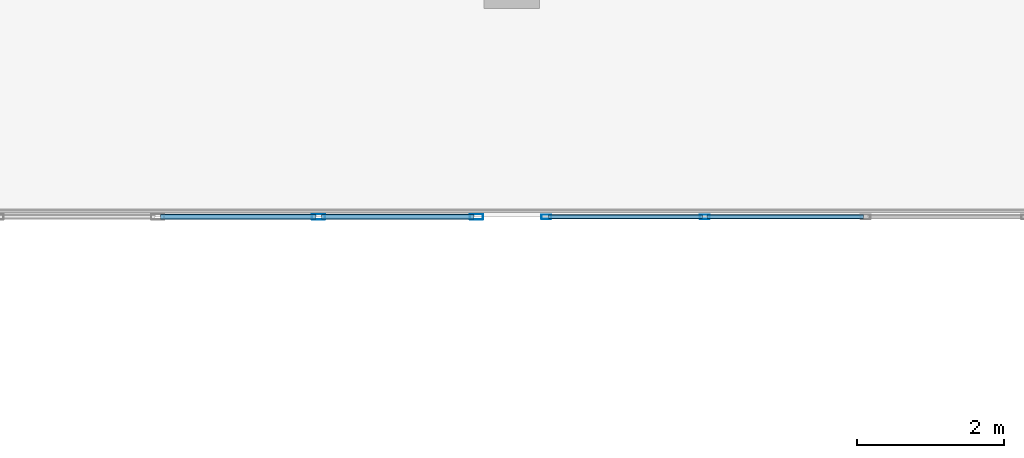
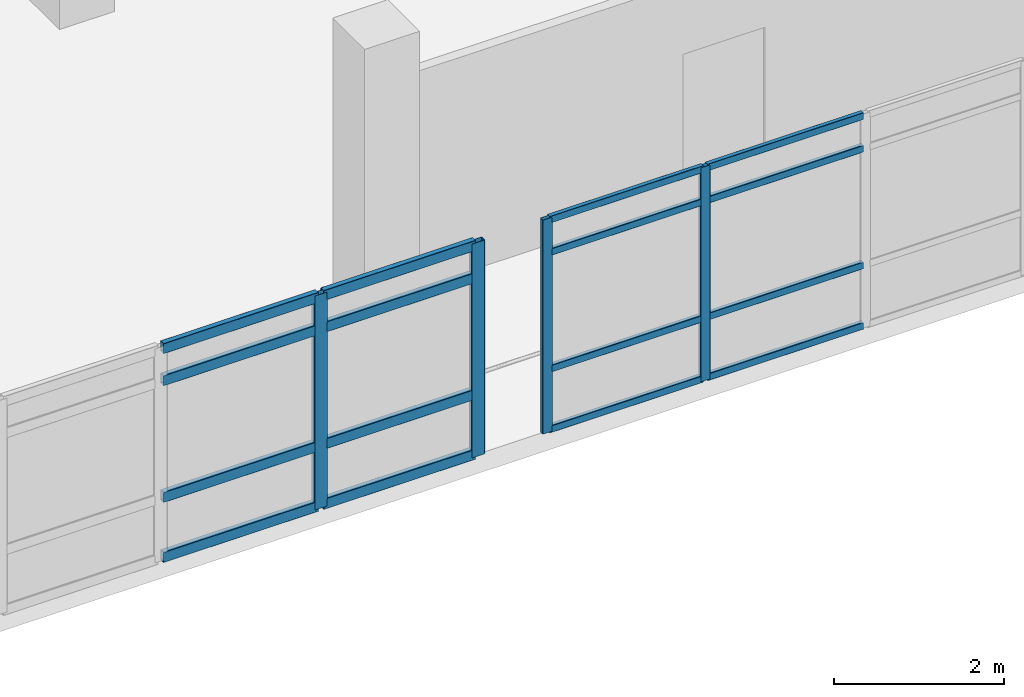
# One storey, part 90 of 180: 20 members, 2 elements without a shape of their own.
"""IFC4 building model written with IfcOpenShell, lengths in metres."""

from ifc_helpers import new_model, si_unit, direction, frame, origin, origin_2d, place, context, subcontext, project, spatial, hollow_rectangle, extrude, material, layer, layer_set, material_profile, profile_set, type_object, element, aggregate, save


model = new_model("IFC4")

# Units and contexts
model_context = context("Model", 3, precision=1e-05, world=origin(), true_north=direction((0.0, 1.0)))
body_context = subcontext(model_context, "Body", "Model", "MODEL_VIEW")
ifc_project = project(units=[si_unit("LENGTHUNIT", "METRE"), si_unit("AREAUNIT", "SQUARE_METRE"), si_unit("VOLUMEUNIT", "CUBIC_METRE"), si_unit("PLANEANGLEUNIT", "RADIAN"), si_unit("MASSUNIT", "GRAM", prefix="KILO")], contexts=[model_context])

# Site, building, storey
site_placement = place(None, origin())
site = spatial("IfcSite", under=ifc_project, at=site_placement, CompositionType="ELEMENT")
building_placement = place(site_placement, origin())
building = spatial("IfcBuilding", under=site, at=building_placement, Name="Asteropetra Specialist Clinic", CompositionType="ELEMENT")
storey_placement = place(building_placement, frame((0.0, 0.0, 4.419921875)))
storey = spatial("IfcBuildingStorey", under=building, at=storey_placement, Name="L01", CompositionType="ELEMENT", Elevation=4.419921875)

# Curtain wall, members
ifc_material_1 = material(Name="Aluminium and low-E glass", Category="aluminium")
ifc_layer_1 = layer(ifc_material_1, 0.179931640625)
ifc_layer_set_1 = layer_set([ifc_layer_1], Name="Aluminium and low-E glass")
curtain_wall_type_1 = type_object("IfcCurtainWallType", Name="CW-SYS-04", PredefinedType="USERDEFINED", material=ifc_layer_set_1)
curtain_wall_1_placement = place(storey_placement, origin())
curtain_wall_1 = element("IfcCurtainWall", 1, at=curtain_wall_1_placement, inside=storey, type_object=curtain_wall_type_1, Name="Curtain Wall CW-020", ObjectType="UNITISED CURTAIN WALL", PredefinedType="USERDEFINED")
ifc_material_2 = material(Name="Aluminium 6063-T6", Category="aluminium")
ifc_material_profile_1 = material_profile(ifc_material_2, hollow_rectangle(XDim=0.06005859375, YDim=0.135009765625, WallThickness=0.00341796875, InnerFilletRadius=0.00341796875, OuterFilletRadius=0.007080078125, at=origin_2d()), Name="MUL 135x60x3.5")
ifc_profile_set_1 = profile_set([ifc_material_profile_1], Name="Aluminium 6063-T6")
member_type_1 = type_object("IfcMemberType", Name="CWM-135x60", PredefinedType="MULLION", material=ifc_profile_set_1)
member_1_placement = place(storey_placement, frame((21.820068359375, 95.199951171875, 0.0), z_axis=(0.0, 0.0, 1.0), x_axis=(0.0, -1.0, 0.0)))
member_1 = element("IfcMember", 2, at=member_1_placement, type_object=member_type_1, Name="CW-020 mullion 4", PredefinedType="MULLION", context=body_context, shape_type="SweptSolid", body=[
    extrude(hollow_rectangle(XDim=0.06005859375, YDim=0.135009765625, WallThickness=0.00341796875, InnerFilletRadius=0.00341796875, OuterFilletRadius=0.007080078125, at=origin_2d()), origin(), (0.0, 0.0, 1.0), 3.080078125),
])
member_2_placement = place(storey_placement, frame((19.669921875, 95.199951171875, 0.0), z_axis=(0.0, 0.0, 1.0), x_axis=(0.0, -1.0, 0.0)))
member_2 = element("IfcMember", 3, at=member_2_placement, type_object=member_type_1, Name="CW-020 mullion 5", PredefinedType="MULLION", context=body_context, shape_type="SweptSolid", body=[
    extrude(hollow_rectangle(XDim=0.06005859375, YDim=0.135009765625, WallThickness=0.00341796875, InnerFilletRadius=0.00341796875, OuterFilletRadius=0.007080078125, at=origin_2d()), origin(), (0.0, 0.0, 1.0), 3.080078125),
])

ifc_material_3 = material(Name="Aluminium and low-E glass", Category="aluminium")
ifc_layer_2 = layer(ifc_material_3, 0.135009765625)
ifc_layer_set_2 = layer_set([ifc_layer_2], Name="Aluminium and low-E glass")
curtain_wall_type_2 = type_object("IfcCurtainWallType", Name="CW-SYS-03", PredefinedType="USERDEFINED", material=ifc_layer_set_2)
curtain_wall_2_placement = place(storey_placement, origin())
curtain_wall_2 = element("IfcCurtainWall", 4, at=curtain_wall_2_placement, inside=storey, type_object=curtain_wall_type_2, Name="Curtain Wall CW-018", ObjectType="UNITISED CURTAIN WALL", PredefinedType="USERDEFINED")
ifc_material_4 = material(Name="Aluminium 6063-T6", Category="aluminium")
ifc_material_profile_2 = material_profile(ifc_material_4, hollow_rectangle(XDim=0.074951171875, YDim=0.179931640625, WallThickness=0.00390625, InnerFilletRadius=0.00390625, OuterFilletRadius=0.008056640625, at=origin_2d()), Name="MUL 180x75x4.0")
ifc_profile_set_2 = profile_set([ifc_material_profile_2], Name="Aluminium 6063-T6")
member_type_2 = type_object("IfcMemberType", Name="CWM-180x75", PredefinedType="MULLION", material=ifc_profile_set_2)
member_3_placement = place(storey_placement, frame((18.722412109375, 95.199951171875, 0.0), z_axis=(0.0, 0.0, 1.0), x_axis=(0.0, -1.0, 0.0)))
member_3 = element("IfcMember", 5, at=member_3_placement, type_object=member_type_2, Name="CW-018 mullion 1", PredefinedType="MULLION", context=body_context, shape_type="SweptSolid", body=[
    extrude(hollow_rectangle(XDim=0.074951171875, YDim=0.179931640625, WallThickness=0.00390625, InnerFilletRadius=0.00390625, OuterFilletRadius=0.008056640625, at=origin_2d()), origin(), (0.0, 0.0, 1.0), 3.080078125),
])
member_4_placement = place(storey_placement, frame((16.580078125, 95.199951171875, 0.0), z_axis=(0.0, 0.0, 1.0), x_axis=(0.0, -1.0, 0.0)))
member_4 = element("IfcMember", 6, at=member_4_placement, type_object=member_type_2, Name="CW-018 mullion 2", PredefinedType="MULLION", context=body_context, shape_type="SweptSolid", body=[
    extrude(hollow_rectangle(XDim=0.074951171875, YDim=0.179931640625, WallThickness=0.00390625, InnerFilletRadius=0.00390625, OuterFilletRadius=0.008056640625, at=origin_2d()), origin(), (0.0, 0.0, 1.0), 3.080078125),
])

# Member
ifc_material_5 = material(Name="Aluminium 6063-T6", Category="aluminium")
ifc_material_profile_3 = material_profile(ifc_material_5, hollow_rectangle(XDim=0.06005859375, YDim=0.10009765625, WallThickness=0.00341796875, InnerFilletRadius=0.00341796875, OuterFilletRadius=0.007080078125, at=origin_2d()), Name="TRN 100x60x3.5")
ifc_profile_set_3 = profile_set([ifc_material_profile_3], Name="Aluminium 6063-T6")
member_type_3 = type_object("IfcMemberType", Name="CWT-100x60", PredefinedType="USERDEFINED", material=ifc_profile_set_3)
member_5_placement = place(storey_placement, frame((23.969970703125, 95.199951171875, 0.030029296875), z_axis=(-1.0, 0.0, 0.0), x_axis=(0.0, -1.0, 0.0)))
member_5 = element("IfcMember", 7, at=member_5_placement, type_object=member_type_3, Name="CW-020 transom 3.1", ObjectType="TRANSOM", PredefinedType="USERDEFINED", context=body_context, shape_type="SweptSolid", body=[
    extrude(hollow_rectangle(XDim=0.06005859375, YDim=0.10009765625, WallThickness=0.00341796875, InnerFilletRadius=0.00341796875, OuterFilletRadius=0.007080078125, at=origin_2d()), origin(), (0.0, 0.0, 1.0), 2.119873046875),
])

member_6_placement = place(storey_placement, frame((23.969970703125, 95.199951171875, 0.900146484375), z_axis=(-1.0, 0.0, 0.0), x_axis=(0.0, -1.0, 0.0)))
member_6 = element("IfcMember", 8, at=member_6_placement, type_object=member_type_3, Name="CW-020 transom 3.2", ObjectType="TRANSOM", PredefinedType="USERDEFINED", context=body_context, shape_type="SweptSolid", body=[
    extrude(hollow_rectangle(XDim=0.06005859375, YDim=0.10009765625, WallThickness=0.00341796875, InnerFilletRadius=0.00341796875, OuterFilletRadius=0.007080078125, at=origin_2d()), origin(), (0.0, 0.0, 1.0), 2.119873046875),
])

member_7_placement = place(storey_placement, frame((23.969970703125, 95.199951171875, 2.580078125), z_axis=(-1.0, 0.0, 0.0), x_axis=(0.0, -1.0, 0.0)))
member_7 = element("IfcMember", 9, at=member_7_placement, type_object=member_type_3, Name="CW-020 transom 3.3", ObjectType="TRANSOM", PredefinedType="USERDEFINED", context=body_context, shape_type="SweptSolid", body=[
    extrude(hollow_rectangle(XDim=0.06005859375, YDim=0.10009765625, WallThickness=0.00341796875, InnerFilletRadius=0.00341796875, OuterFilletRadius=0.007080078125, at=origin_2d()), origin(), (0.0, 0.0, 1.0), 2.119873046875),
])

member_8_placement = place(storey_placement, frame((23.969970703125, 95.199951171875, 3.050048828125), z_axis=(-1.0, 0.0, 0.0), x_axis=(0.0, -1.0, 0.0)))
member_8 = element("IfcMember", 10, at=member_8_placement, type_object=member_type_3, Name="CW-020 transom 3.4", ObjectType="TRANSOM", PredefinedType="USERDEFINED", context=body_context, shape_type="SweptSolid", body=[
    extrude(hollow_rectangle(XDim=0.06005859375, YDim=0.10009765625, WallThickness=0.00341796875, InnerFilletRadius=0.00341796875, OuterFilletRadius=0.007080078125, at=origin_2d()), origin(), (0.0, 0.0, 1.0), 2.119873046875),
])

member_9_placement = place(storey_placement, frame((21.7900390625, 95.199951171875, 0.030029296875), z_axis=(-1.0, 0.0, 0.0), x_axis=(0.0, -1.0, 0.0)))
member_9 = element("IfcMember", 11, at=member_9_placement, type_object=member_type_3, Name="CW-020 transom 4.1", ObjectType="TRANSOM", PredefinedType="USERDEFINED", context=body_context, shape_type="SweptSolid", body=[
    extrude(hollow_rectangle(XDim=0.06005859375, YDim=0.10009765625, WallThickness=0.00341796875, InnerFilletRadius=0.00341796875, OuterFilletRadius=0.007080078125, at=origin_2d()), origin(), (0.0, 0.0, 1.0), 2.090087890625),
])

member_10_placement = place(storey_placement, frame((21.7900390625, 95.199951171875, 0.900146484375), z_axis=(-1.0, 0.0, 0.0), x_axis=(0.0, -1.0, 0.0)))
member_10 = element("IfcMember", 12, at=member_10_placement, type_object=member_type_3, Name="CW-020 transom 4.2", ObjectType="TRANSOM", PredefinedType="USERDEFINED", context=body_context, shape_type="SweptSolid", body=[
    extrude(hollow_rectangle(XDim=0.06005859375, YDim=0.10009765625, WallThickness=0.00341796875, InnerFilletRadius=0.00341796875, OuterFilletRadius=0.007080078125, at=origin_2d()), origin(), (0.0, 0.0, 1.0), 2.090087890625),
])

member_11_placement = place(storey_placement, frame((21.7900390625, 95.199951171875, 2.580078125), z_axis=(-1.0, 0.0, 0.0), x_axis=(0.0, -1.0, 0.0)))
member_11 = element("IfcMember", 13, at=member_11_placement, type_object=member_type_3, Name="CW-020 transom 4.3", ObjectType="TRANSOM", PredefinedType="USERDEFINED", context=body_context, shape_type="SweptSolid", body=[
    extrude(hollow_rectangle(XDim=0.06005859375, YDim=0.10009765625, WallThickness=0.00341796875, InnerFilletRadius=0.00341796875, OuterFilletRadius=0.007080078125, at=origin_2d()), origin(), (0.0, 0.0, 1.0), 2.090087890625),
])

member_12_placement = place(storey_placement, frame((21.7900390625, 95.199951171875, 3.050048828125), z_axis=(-1.0, 0.0, 0.0), x_axis=(0.0, -1.0, 0.0)))
member_12 = element("IfcMember", 14, at=member_12_placement, type_object=member_type_3, Name="CW-020 transom 4.4", ObjectType="TRANSOM", PredefinedType="USERDEFINED", context=body_context, shape_type="SweptSolid", body=[
    extrude(hollow_rectangle(XDim=0.06005859375, YDim=0.10009765625, WallThickness=0.00341796875, InnerFilletRadius=0.00341796875, OuterFilletRadius=0.007080078125, at=origin_2d()), origin(), (0.0, 0.0, 1.0), 2.090087890625),
])

aggregate(curtain_wall_1, [member_1, member_2, member_5, member_6, member_7, member_8, member_9, member_10, member_11, member_12])

ifc_material_6 = material(Name="Aluminium 6063-T6", Category="aluminium")
ifc_material_profile_4 = material_profile(ifc_material_6, hollow_rectangle(XDim=0.074951171875, YDim=0.14990234375, WallThickness=0.00390625, InnerFilletRadius=0.00390625, OuterFilletRadius=0.008056640625, at=origin_2d()), Name="TRN 150x75x4.0")
ifc_profile_set_4 = profile_set([ifc_material_profile_4], Name="Aluminium 6063-T6")
member_type_4 = type_object("IfcMemberType", Name="CWT-150x75", PredefinedType="USERDEFINED", material=ifc_profile_set_4)
member_13_placement = place(storey_placement, frame((18.68505859375, 95.199951171875, 0.03759765625), z_axis=(-1.0, 0.0, 0.0), x_axis=(0.0, -1.0, 0.0)))
member_13 = element("IfcMember", 15, at=member_13_placement, type_object=member_type_4, Name="CW-018 transom 1.1", ObjectType="TRANSOM", PredefinedType="USERDEFINED", context=body_context, shape_type="SweptSolid", body=[
    extrude(hollow_rectangle(XDim=0.074951171875, YDim=0.14990234375, WallThickness=0.00390625, InnerFilletRadius=0.00390625, OuterFilletRadius=0.008056640625, at=origin_2d()), origin(), (0.0, 0.0, 1.0), 2.067626953125),
])

member_14_placement = place(storey_placement, frame((18.68505859375, 95.199951171875, 0.900146484375), z_axis=(-1.0, 0.0, 0.0), x_axis=(0.0, -1.0, 0.0)))
member_14 = element("IfcMember", 16, at=member_14_placement, type_object=member_type_4, Name="CW-018 transom 1.2", ObjectType="TRANSOM", PredefinedType="USERDEFINED", context=body_context, shape_type="SweptSolid", body=[
    extrude(hollow_rectangle(XDim=0.074951171875, YDim=0.14990234375, WallThickness=0.00390625, InnerFilletRadius=0.00390625, OuterFilletRadius=0.008056640625, at=origin_2d()), origin(), (0.0, 0.0, 1.0), 2.067626953125),
])

member_15_placement = place(storey_placement, frame((18.68505859375, 95.199951171875, 2.580078125), z_axis=(-1.0, 0.0, 0.0), x_axis=(0.0, -1.0, 0.0)))
member_15 = element("IfcMember", 17, at=member_15_placement, type_object=member_type_4, Name="CW-018 transom 1.3", ObjectType="TRANSOM", PredefinedType="USERDEFINED", context=body_context, shape_type="SweptSolid", body=[
    extrude(hollow_rectangle(XDim=0.074951171875, YDim=0.14990234375, WallThickness=0.00390625, InnerFilletRadius=0.00390625, OuterFilletRadius=0.008056640625, at=origin_2d()), origin(), (0.0, 0.0, 1.0), 2.067626953125),
])

member_16_placement = place(storey_placement, frame((18.68505859375, 95.199951171875, 3.04248046875), z_axis=(-1.0, 0.0, 0.0), x_axis=(0.0, -1.0, 0.0)))
member_16 = element("IfcMember", 18, at=member_16_placement, type_object=member_type_4, Name="CW-018 transom 1.4", ObjectType="TRANSOM", PredefinedType="USERDEFINED", context=body_context, shape_type="SweptSolid", body=[
    extrude(hollow_rectangle(XDim=0.074951171875, YDim=0.14990234375, WallThickness=0.00390625, InnerFilletRadius=0.00390625, OuterFilletRadius=0.008056640625, at=origin_2d()), origin(), (0.0, 0.0, 1.0), 2.067626953125),
])

member_17_placement = place(storey_placement, frame((16.54248046875, 95.199951171875, 0.03759765625), z_axis=(-1.0, 0.0, 0.0), x_axis=(0.0, -1.0, 0.0)))
member_17 = element("IfcMember", 19, at=member_17_placement, type_object=member_type_4, Name="CW-018 transom 2.1", ObjectType="TRANSOM", PredefinedType="USERDEFINED", context=body_context, shape_type="SweptSolid", body=[
    extrude(hollow_rectangle(XDim=0.074951171875, YDim=0.14990234375, WallThickness=0.00390625, InnerFilletRadius=0.00390625, OuterFilletRadius=0.008056640625, at=origin_2d()), origin(), (0.0, 0.0, 1.0), 2.10498046875),
])

member_18_placement = place(storey_placement, frame((16.54248046875, 95.199951171875, 0.900146484375), z_axis=(-1.0, 0.0, 0.0), x_axis=(0.0, -1.0, 0.0)))
member_18 = element("IfcMember", 20, at=member_18_placement, type_object=member_type_4, Name="CW-018 transom 2.2", ObjectType="TRANSOM", PredefinedType="USERDEFINED", context=body_context, shape_type="SweptSolid", body=[
    extrude(hollow_rectangle(XDim=0.074951171875, YDim=0.14990234375, WallThickness=0.00390625, InnerFilletRadius=0.00390625, OuterFilletRadius=0.008056640625, at=origin_2d()), origin(), (0.0, 0.0, 1.0), 2.10498046875),
])

member_19_placement = place(storey_placement, frame((16.54248046875, 95.199951171875, 2.580078125), z_axis=(-1.0, 0.0, 0.0), x_axis=(0.0, -1.0, 0.0)))
member_19 = element("IfcMember", 21, at=member_19_placement, type_object=member_type_4, Name="CW-018 transom 2.3", ObjectType="TRANSOM", PredefinedType="USERDEFINED", context=body_context, shape_type="SweptSolid", body=[
    extrude(hollow_rectangle(XDim=0.074951171875, YDim=0.14990234375, WallThickness=0.00390625, InnerFilletRadius=0.00390625, OuterFilletRadius=0.008056640625, at=origin_2d()), origin(), (0.0, 0.0, 1.0), 2.10498046875),
])

member_20_placement = place(storey_placement, frame((16.54248046875, 95.199951171875, 3.04248046875), z_axis=(-1.0, 0.0, 0.0), x_axis=(0.0, -1.0, 0.0)))
member_20 = element("IfcMember", 22, at=member_20_placement, type_object=member_type_4, Name="CW-018 transom 2.4", ObjectType="TRANSOM", PredefinedType="USERDEFINED", context=body_context, shape_type="SweptSolid", body=[
    extrude(hollow_rectangle(XDim=0.074951171875, YDim=0.14990234375, WallThickness=0.00390625, InnerFilletRadius=0.00390625, OuterFilletRadius=0.008056640625, at=origin_2d()), origin(), (0.0, 0.0, 1.0), 2.10498046875),
])

aggregate(curtain_wall_2, [member_3, member_4, member_13, member_14, member_15, member_16, member_17, member_18, member_19, member_20])

save(model, "model.ifc")
